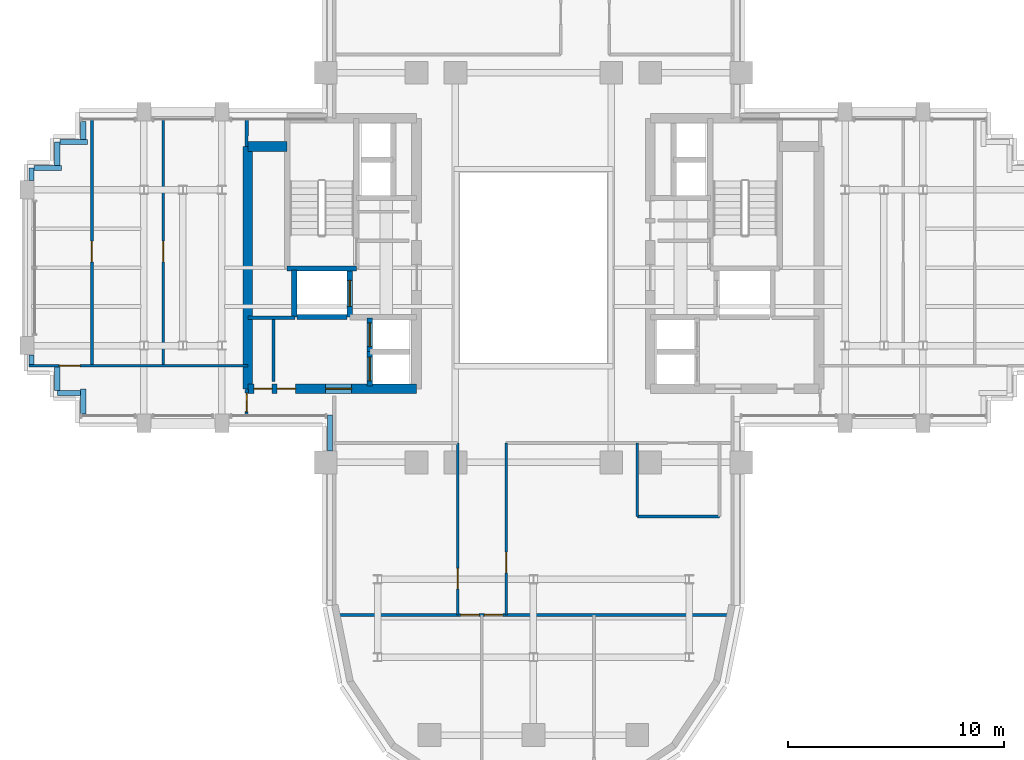
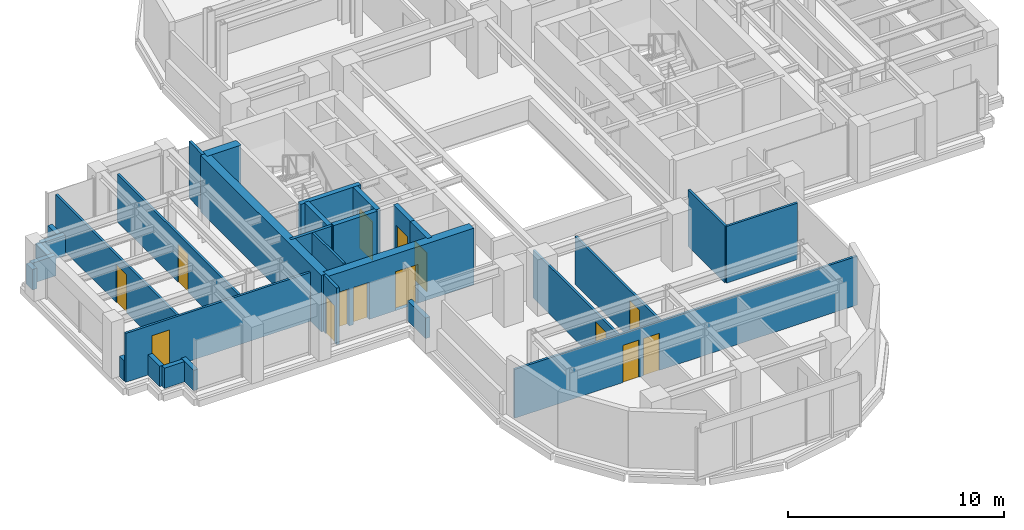
# One storey, part 8 of 14: 31 walls, 14 doors, 14 openings.
"""IFC4 building model written with IfcOpenShell, lengths in metres."""

from ifc_helpers import new_model, si_unit, direction, frame, frame_2d, origin, place, context, subcontext, project, spatial, rectangle, extrude, source, transform, mapped, material, layer, layer_set, type_object, element, fill, save


model = new_model("IFC4")

# Units and contexts
model_context = context("Model", 3, precision=1e-05, world=origin(), true_north=direction((0.0, 1.0)))
body_context = subcontext(model_context, "Body", "Model", "MODEL_VIEW")
ifc_project = project(units=[si_unit("LENGTHUNIT", "METRE"), si_unit("AREAUNIT", "SQUARE_METRE"), si_unit("VOLUMEUNIT", "CUBIC_METRE"), si_unit("PLANEANGLEUNIT", "RADIAN"), si_unit("MASSUNIT", "GRAM", prefix="KILO")], contexts=[model_context])

# Site, building, storey
site_placement = place(None, origin())
site = spatial("IfcSite", under=ifc_project, at=site_placement, CompositionType="ELEMENT")
building_placement = place(site_placement, origin())
building = spatial("IfcBuilding", under=site, at=building_placement, Name="Keilestroom Media Tower", CompositionType="ELEMENT")
storey_placement = place(building_placement, frame((0.0, 0.0, 124.39990234375)))
storey = spatial("IfcBuildingStorey", under=building, at=storey_placement, Name="L33", CompositionType="ELEMENT", Elevation=124.39990234375)

# Wall
ifc_material_1 = material(Name="Gypsum Plasterboard & Steel Stud", Category="steel")
ifc_layer_1 = layer(ifc_material_1, 0.1201171875)
ifc_layer_set_1 = layer_set([ifc_layer_1], Name="Gypsum Plasterboard & Steel Stud")
wall_type_1 = type_object("IfcWallType", Name="Interior-Partition-Wall-120", PredefinedType="PARTITIONING", material=ifc_layer_set_1)
wall_1_placement = place(storey_placement, frame((-12.010009765625, -5.260009765625, 0.0), z_axis=(0.0, 0.0, 1.0), x_axis=(0.0, 1.0, 0.0)))
element("IfcWall", 1, at=wall_1_placement, inside=storey, type_object=wall_type_1, Name="L33 Interior Wall WP-L33-RECLW-M", PredefinedType="PARTITIONING", context=body_context, shape_type="SweptSolid", body=[
    extrude(rectangle(XDim=2.93994140625, YDim=0.1201171875, at=frame_2d((1.469970703125, 0.0))), origin(), (0.0, 0.0, 1.0), 3.2001953125),
])

# Wall, opening, door
wall_2_placement = place(storey_placement, frame((-3.5, -16.050048828125, 0.0), z_axis=(0.0, 0.0, 1.0), x_axis=(0.0, 1.0, 0.0)))
wall_2 = element("IfcWall", 2, at=wall_2_placement, inside=storey, type_object=wall_type_1, Name="L33 Interior Wall WP-L33-SL-SPW", PredefinedType="PARTITIONING", context=body_context, shape_type="SweptSolid", body=[
    extrude(rectangle(XDim=7.949951171875, YDim=0.1201171875, at=frame_2d((3.97509765625, 0.0))), origin(), (0.0, 0.0, 1.0), 2.7001953125),
])
opening_1_placement = place(wall_2_placement, frame((1.199951171875, 0.0, 0.0)))
opening_1 = element("IfcOpeningElement", 3, at=opening_1_placement, cuts=wall_2, Name="Opening DI-03", PredefinedType="OPENING", context=body_context, shape_type="SweptSolid", body=[
    extrude(rectangle(XDim=0.949951171875, YDim=2.14990234375, at=frame_2d((0.47509765625, 1.074951171875))), frame((0.0, 0.070068359375, 0.0), z_axis=(0.0, -1.0, 0.0), x_axis=(1.0, 0.0, 0.0)), (0.0, 0.0, 1.0), 0.14013671875),
])
ifc_material_2 = material(Name="Lacquered European Oak Leaf", Category="wood")
door_type_1 = type_object("IfcDoorType", Name="Interior-Room-And-Suite-Door-DI-03", OperationType="NOTDEFINED", PredefinedType="DOOR", material=ifc_material_2)
shared_shape_1 = source(origin(), body_context, "Body", "SweptSolid", [
    extrude(rectangle(XDim=0.949951171875, YDim=2.14990234375, at=frame_2d((0.47509765625, 1.074951171875))), frame((0.0, 0.02490234375, 0.0), z_axis=(0.0, -1.0, 0.0), x_axis=(1.0, 0.0, 0.0)), (0.0, 0.0, 1.0), 0.050048828125),
])
door_1_placement = place(opening_1_placement, origin())
door_1 = element("IfcDoor", 4, at=door_1_placement, inside=storey, type_object=door_type_1, Name="L33 Interior Door DI-L33-DSL-W1", OperationType="SINGLE_SWING_LEFT", OverallHeight=2.14990234375, OverallWidth=0.949951171875, PredefinedType="DOOR", context=body_context, shape_type="MappedRepresentation", body=[
    mapped(shared_shape_1, transform((0.0, 0.0, 0.0), x_axis=(1.0, 0.0, 0.0), y_axis=(0.0, 1.0, 0.0), z_axis=(0.0, 0.0, 1.0), scale=1.0)),
])
fill(opening_1, door_1)

wall_3_placement = place(storey_placement, frame((-1.260009765625, -16.050048828125, 0.0), z_axis=(0.0, 0.0, 1.0), x_axis=(0.0, 1.0, 0.0)))
wall_3 = element("IfcWall", 5, at=wall_3_placement, inside=storey, type_object=wall_type_1, Name="L33 Interior Wall WP-L33-SL-SPE", PredefinedType="PARTITIONING", context=body_context, shape_type="SweptSolid", body=[
    extrude(rectangle(XDim=7.949951171875, YDim=0.1201171875, at=frame_2d((3.97509765625, 0.0))), origin(), (0.0, 0.0, 1.0), 2.7001953125),
])
opening_2_placement = place(wall_3_placement, frame((1.949951171875, 0.0, 0.0)))
opening_2 = element("IfcOpeningElement", 6, at=opening_2_placement, cuts=wall_3, Name="Opening DI-03", PredefinedType="OPENING", context=body_context, shape_type="SweptSolid", body=[
    extrude(rectangle(XDim=0.949951171875, YDim=2.14990234375, at=frame_2d((0.47509765625, 1.074951171875))), frame((0.0, 0.070068359375, 0.0), z_axis=(0.0, -1.0, 0.0), x_axis=(1.0, 0.0, 0.0)), (0.0, 0.0, 1.0), 0.14013671875),
])
door_2_placement = place(opening_2_placement, origin())
door_2 = element("IfcDoor", 7, at=door_2_placement, inside=storey, type_object=door_type_1, Name="L33 Interior Door DI-L33-DSL-E1", OperationType="SINGLE_SWING_RIGHT", OverallHeight=2.14990234375, OverallWidth=0.949951171875, PredefinedType="DOOR", context=body_context, shape_type="MappedRepresentation", body=[
    mapped(shared_shape_1, transform((0.0, 0.0, 0.0), x_axis=(1.0, 0.0, 0.0), y_axis=(0.0, 1.0, 0.0), z_axis=(0.0, 0.0, 1.0), scale=1.0)),
])
fill(opening_2, door_2)

# Wall, openings, doors
wall_4_placement = place(storey_placement, frame((-9.159912109375, -16.050048828125, 0.0), z_axis=(0.0, 0.0, 1.0), x_axis=(1.0, 0.0, 0.0)))
wall_4 = element("IfcWall", 8, at=wall_4_placement, inside=storey, type_object=wall_type_1, Name="L33 Interior Wall WP-L33-SL-STIPW", PredefinedType="PARTITIONING", context=body_context, shape_type="SweptSolid", body=[
    extrude(rectangle(XDim=18.31982421875, YDim=0.1201171875, at=frame_2d((9.159912109375, 0.0))), origin(), (0.0, 0.0, 1.0), 2.760009765625),
])
opening_3_placement = place(wall_4_placement, frame((5.800048828125, 0.0, 0.0)))
opening_3 = element("IfcOpeningElement", 9, at=opening_3_placement, cuts=wall_4, Name="Opening DI-05", PredefinedType="OPENING", context=body_context, shape_type="SweptSolid", body=[
    extrude(rectangle(XDim=0.85009765625, YDim=2.10009765625, at=frame_2d((0.425048828125, 1.050048828125))), frame((0.0, 0.070068359375, 0.0), z_axis=(0.0, -1.0, 0.0), x_axis=(1.0, 0.0, 0.0)), (0.0, 0.0, 1.0), 0.14013671875),
])
opening_4_placement = place(wall_4_placement, frame((6.89990234375, 0.0, 0.0)))
opening_4 = element("IfcOpeningElement", 10, at=opening_4_placement, cuts=wall_4, Name="Opening DI-05", PredefinedType="OPENING", context=body_context, shape_type="SweptSolid", body=[
    extrude(rectangle(XDim=0.85009765625, YDim=2.10009765625, at=frame_2d((0.425048828125, 1.050048828125))), frame((0.0, 0.070068359375, 0.0), z_axis=(0.0, -1.0, 0.0), x_axis=(1.0, 0.0, 0.0)), (0.0, 0.0, 1.0), 0.14013671875),
])
ifc_material_3 = material(Name="Moisture-Resistant Oak Leaf", Category="wood")
door_type_2 = type_object("IfcDoorType", Name="Interior-En-Suite-And-Cupboard-Door-DI-05", OperationType="NOTDEFINED", PredefinedType="DOOR", material=ifc_material_3)
shared_shape_2 = source(origin(), body_context, "Body", "SweptSolid", [
    extrude(rectangle(XDim=0.85009765625, YDim=2.10009765625, at=frame_2d((0.425048828125, 1.050048828125))), frame((0.0, 0.02490234375, 0.0), z_axis=(0.0, -1.0, 0.0), x_axis=(1.0, 0.0, 0.0)), (0.0, 0.0, 1.0), 0.050048828125),
])
door_3_placement = place(opening_3_placement, origin())
door_3 = element("IfcDoor", 11, at=door_3_placement, inside=storey, type_object=door_type_2, Name="L33 Interior Door DI-L33-DSL-TIP1", OperationType="SINGLE_SWING_LEFT", OverallHeight=2.10009765625, OverallWidth=0.85009765625, PredefinedType="DOOR", context=body_context, shape_type="MappedRepresentation", body=[
    mapped(shared_shape_2, transform((0.0, 0.0, 0.0), x_axis=(1.0, 0.0, 0.0), y_axis=(0.0, 1.0, 0.0), z_axis=(0.0, 0.0, 1.0), scale=1.0)),
])
fill(opening_3, door_3)
door_4_placement = place(opening_4_placement, origin())
door_4 = element("IfcDoor", 12, at=door_4_placement, inside=storey, type_object=door_type_2, Name="L33 Interior Door DI-L33-DSL-TIP2", OperationType="SINGLE_SWING_RIGHT", OverallHeight=2.10009765625, OverallWidth=0.85009765625, PredefinedType="DOOR", context=body_context, shape_type="MappedRepresentation", body=[
    mapped(shared_shape_2, transform((0.0, 0.0, 0.0), x_axis=(1.0, 0.0, 0.0), y_axis=(0.0, 1.0, 0.0), z_axis=(0.0, 0.0, 1.0), scale=1.0)),
])
fill(opening_4, door_4)

# Walls
wall_5_placement = place(storey_placement, frame((4.800048828125, -11.5, 0.0), z_axis=(0.0, 0.0, 1.0), x_axis=(1.0, 0.0, 0.0)))
element("IfcWall", 13, at=wall_5_placement, inside=storey, type_object=wall_type_1, Name="L33 Interior Wall WP-L33-SL-WC-S", PredefinedType="PARTITIONING", context=body_context, shape_type="SweptSolid", body=[
    extrude(rectangle(XDim=3.800048828125, YDim=0.1201171875, at=frame_2d((1.89990234375, 0.0))), origin(), (0.0, 0.0, 1.0), 3.2001953125),
])
wall_6_placement = place(storey_placement, frame((4.800048828125, -11.5, 0.0), z_axis=(0.0, 0.0, 1.0), x_axis=(0.0, 1.0, 0.0)))
element("IfcWall", 14, at=wall_6_placement, inside=storey, type_object=wall_type_1, Name="L33 Interior Wall WP-L33-SL-WC-W", PredefinedType="PARTITIONING", context=body_context, shape_type="SweptSolid", body=[
    extrude(rectangle(XDim=3.39990234375, YDim=0.1201171875, at=frame_2d((1.699951171875, 0.0))), origin(), (0.0, 0.0, 1.0), 3.2001953125),
])

# Wall, opening, door
wall_7_placement = place(storey_placement, frame((-23.300048828125, -4.530029296875, 0.0), z_axis=(0.0, 0.0, 1.0), x_axis=(1.0, 0.0, 0.0)))
wall_7 = element("IfcWall", 15, at=wall_7_placement, inside=storey, type_object=wall_type_1, Name="L33 Interior Wall WP-L33-WA-CN", PredefinedType="PARTITIONING", context=body_context, shape_type="SweptSolid", body=[
    extrude(rectangle(XDim=10.10009765625, YDim=0.1201171875, at=frame_2d((5.050048828125, 0.0))), origin(), (0.0, 0.0, 1.0), 2.760009765625),
])
opening_5_placement = place(wall_7_placement, frame((1.39990234375, 0.0, 0.0)))
opening_5 = element("IfcOpeningElement", 16, at=opening_5_placement, cuts=wall_7, Name="Opening DI-03", PredefinedType="OPENING", context=body_context, shape_type="SweptSolid", body=[
    extrude(rectangle(XDim=0.949951171875, YDim=2.14990234375, at=frame_2d((0.47509765625, 1.074951171875))), frame((0.0, 0.070068359375, 0.0), z_axis=(0.0, -1.0, 0.0), x_axis=(1.0, 0.0, 0.0)), (0.0, 0.0, 1.0), 0.14013671875),
])
door_5_placement = place(opening_5_placement, origin())
door_5 = element("IfcDoor", 17, at=door_5_placement, inside=storey, type_object=door_type_1, Name="L33 Interior Door DI-L33-DWA-RN1", OperationType="SINGLE_SWING_RIGHT", OverallHeight=2.14990234375, OverallWidth=0.949951171875, PredefinedType="DOOR", context=body_context, shape_type="MappedRepresentation", body=[
    mapped(shared_shape_1, transform((0.0, 0.0, 0.0), x_axis=(1.0, 0.0, 0.0), y_axis=(0.0, 1.0, 0.0), z_axis=(0.0, 0.0, 1.0), scale=1.0)),
])
fill(opening_5, door_5)

wall_8_placement = place(storey_placement, frame((-20.39990234375, -4.530029296875, 0.0), z_axis=(0.0, 0.0, 1.0), x_axis=(0.0, 1.0, 0.0)))
wall_8 = element("IfcWall", 18, at=wall_8_placement, inside=storey, type_object=wall_type_1, Name="L33 Interior Wall WP-L33-WA-VM1", PredefinedType="PARTITIONING", context=body_context, shape_type="SweptSolid", body=[
    extrude(rectangle(XDim=11.380126953125, YDim=0.1201171875, at=frame_2d((5.68994140625, 0.0))), origin(), (0.0, 0.0, 1.0), 2.7001953125),
])
opening_6_placement = place(wall_8_placement, frame((4.800048828125, 0.0, 0.0)))
opening_6 = element("IfcOpeningElement", 19, at=opening_6_placement, cuts=wall_8, Name="Opening DI-03", PredefinedType="OPENING", context=body_context, shape_type="SweptSolid", body=[
    extrude(rectangle(XDim=0.949951171875, YDim=2.14990234375, at=frame_2d((0.47509765625, 1.074951171875))), frame((0.0, 0.070068359375, 0.0), z_axis=(0.0, -1.0, 0.0), x_axis=(1.0, 0.0, 0.0)), (0.0, 0.0, 1.0), 0.14013671875),
])
door_6_placement = place(opening_6_placement, origin())
door_6 = element("IfcDoor", 20, at=door_6_placement, inside=storey, type_object=door_type_1, Name="L33 Interior Door DI-L33-DWA-RN2", OperationType="SINGLE_SWING_LEFT", OverallHeight=2.14990234375, OverallWidth=0.949951171875, PredefinedType="DOOR", context=body_context, shape_type="MappedRepresentation", body=[
    mapped(shared_shape_1, transform((0.0, 0.0, 0.0), x_axis=(1.0, 0.0, 0.0), y_axis=(0.0, 1.0, 0.0), z_axis=(0.0, 0.0, 1.0), scale=1.0)),
])
fill(opening_6, door_6)

wall_9_placement = place(storey_placement, frame((-17.10009765625, -4.530029296875, 0.0), z_axis=(0.0, 0.0, 1.0), x_axis=(0.0, 1.0, 0.0)))
wall_9 = element("IfcWall", 21, at=wall_9_placement, inside=storey, type_object=wall_type_1, Name="L33 Interior Wall WP-L33-WA-VM2", PredefinedType="PARTITIONING", context=body_context, shape_type="SweptSolid", body=[
    extrude(rectangle(XDim=11.380126953125, YDim=0.1201171875, at=frame_2d((5.68994140625, 0.0))), origin(), (0.0, 0.0, 1.0), 2.7001953125),
])
opening_7_placement = place(wall_9_placement, frame((4.800048828125, 0.0, 0.0)))
opening_7 = element("IfcOpeningElement", 22, at=opening_7_placement, cuts=wall_9, Name="Opening DI-03", PredefinedType="OPENING", context=body_context, shape_type="SweptSolid", body=[
    extrude(rectangle(XDim=0.949951171875, YDim=2.14990234375, at=frame_2d((0.47509765625, 1.074951171875))), frame((0.0, 0.070068359375, 0.0), z_axis=(0.0, -1.0, 0.0), x_axis=(1.0, 0.0, 0.0)), (0.0, 0.0, 1.0), 0.14013671875),
])
door_7_placement = place(opening_7_placement, origin())
door_7 = element("IfcDoor", 23, at=door_7_placement, inside=storey, type_object=door_type_1, Name="L33 Interior Door DI-L33-DWA-RN3", OperationType="SINGLE_SWING_RIGHT", OverallHeight=2.14990234375, OverallWidth=0.949951171875, PredefinedType="DOOR", context=body_context, shape_type="MappedRepresentation", body=[
    mapped(shared_shape_1, transform((0.0, 0.0, 0.0), x_axis=(1.0, 0.0, 0.0), y_axis=(0.0, 1.0, 0.0), z_axis=(0.0, 0.0, 1.0), scale=1.0)),
])
fill(opening_7, door_7)

# Walls
ifc_layer_2 = layer(ifc_material_1, 0.14990234375)
ifc_layer_set_2 = layer_set([ifc_layer_2], Name="Gypsum Plasterboard & Steel Stud")
wall_type_2 = type_object("IfcWallType", Name="Interior-Partition-Wall-150", PredefinedType="PARTITIONING", material=ifc_layer_set_2)
wall_10_placement = place(storey_placement, frame((-13.199951171875, -2.320068359375, 0.0), z_axis=(0.0, 0.0, 1.0), x_axis=(1.0, 0.0, 0.0)))
element("IfcWall", 24, at=wall_10_placement, inside=storey, type_object=wall_type_2, Name="L33 Interior Wall WP-L33-RECLW-N", PredefinedType="PARTITIONING", context=body_context, shape_type="SweptSolid", body=[
    extrude(rectangle(XDim=2.179931640625, YDim=0.14990234375, at=frame_2d((1.08984375, 0.0))), origin(), (0.0, 0.0, 1.0), 3.2001953125),
])
wall_11_placement = place(storey_placement, frame((-13.260009765625, 5.60009765625, 0.0), z_axis=(0.0, 0.0, 1.0), x_axis=(0.016013571389, 0.999871774545, 0.0)))
element("IfcWall", 25, at=wall_11_placement, inside=storey, type_object=wall_type_2, Name="L33 Interior Wall WP-L33-WA-ENTN", PredefinedType="PARTITIONING", context=body_context, shape_type="SweptSolid", body=[
    extrude(rectangle(XDim=1.250244140625, YDim=0.14990234375, at=frame_2d((0.625, 0.0))), origin(), (0.0, 0.0, 1.0), 3.2001953125),
])

# Wall, opening, door
wall_12_placement = place(storey_placement, frame((-13.260009765625, -6.85009765625, 0.0), z_axis=(0.0, 0.0, 1.0), x_axis=(0.016013571389, 0.999871774545, 0.0)))
wall_12 = element("IfcWall", 26, at=wall_12_placement, inside=storey, type_object=wall_type_2, Name="L33 Interior Wall WP-L33-WA-ENTS", PredefinedType="PARTITIONING", context=body_context, shape_type="SweptSolid", body=[
    extrude(rectangle(XDim=1.250244140625, YDim=0.14990234375, at=frame_2d((0.625, 0.0))), origin(), (0.0, 0.0, 1.0), 3.2001953125),
])
opening_8_placement = place(wall_12_placement, frame((0.199951171875, 0.0, 0.0)))
opening_8 = element("IfcOpeningElement", 27, at=opening_8_placement, cuts=wall_12, Name="Opening DI-05", PredefinedType="OPENING", context=body_context, shape_type="SweptSolid", body=[
    extrude(rectangle(XDim=0.85009765625, YDim=2.10009765625, at=frame_2d((0.425048828125, 1.050048828125))), frame((0.0, 0.0849609375, 0.0), z_axis=(0.0, -1.0, 0.0), x_axis=(1.0, 0.0, 0.0)), (0.0, 0.0, 1.0), 0.169921875),
])
door_8_placement = place(opening_8_placement, origin())
door_8 = element("IfcDoor", 28, at=door_8_placement, inside=storey, type_object=door_type_2, Name="L33 Interior Door DI-L33-DWA-ENTS", OperationType="SINGLE_SWING_RIGHT", OverallHeight=2.10009765625, OverallWidth=0.85009765625, PredefinedType="DOOR", context=body_context, shape_type="MappedRepresentation", body=[
    mapped(shared_shape_2, transform((0.0, 0.0, 0.0), x_axis=(1.0, 0.0, 0.0), y_axis=(0.0, 1.0, 0.0), z_axis=(0.0, 0.0, 1.0), scale=1.0)),
])
fill(opening_8, door_8)

# Walls
ifc_material_4 = material(Name="Concrete C55/67", Category="concrete")
ifc_layer_3 = layer(ifc_material_4, 0.449951171875)
ifc_layer_set_3 = layer_set([ifc_layer_3], Name="Concrete C55/67")
wall_type_3 = type_object("IfcWallType", Name="Reinforced-Concrete-Core-Shear-Wall-450", PredefinedType="SHEAR", material=ifc_layer_set_3)
wall_13_placement = place(storey_placement, frame((-13.199951171875, -5.60009765625, 0.0), z_axis=(0.0, 0.0, 1.0), x_axis=(0.0, 1.0, 0.0)))
element("IfcWall", 29, at=wall_13_placement, inside=storey, type_object=wall_type_3, Name="L33 Core Shear Wall WL-L33-CORE-W-OUT", PredefinedType="SHEAR", context=body_context, shape_type="SweptSolid", body=[
    extrude(rectangle(XDim=11.2001953125, YDim=0.449951171875, at=frame_2d((5.60009765625, 0.0))), origin(), (0.0, 0.0, 1.0), 3.2001953125),
])
wall_14_placement = place(storey_placement, frame((-13.199951171875, 5.60009765625, 0.0), z_axis=(0.0, 0.0, 1.0), x_axis=(1.0, 0.0, 0.0)))
element("IfcWall", 30, at=wall_14_placement, inside=storey, type_object=wall_type_3, Name="L33 Core Shear Wall WL-L33-CNW-N", PredefinedType="SHEAR", context=body_context, shape_type="SweptSolid", body=[
    extrude(rectangle(XDim=1.81884765625, YDim=0.449951171875, at=frame_2d((0.909423828125, 0.0))), origin(), (0.0, 0.0, 1.0), 3.2001953125),
])

# Wall, openings, doors
wall_15_placement = place(storey_placement, frame((-13.199951171875, -5.60009765625, 0.0), z_axis=(0.0, 0.0, 1.0), x_axis=(1.0, 0.0, 0.0)))
wall_15 = element("IfcWall", 31, at=wall_15_placement, inside=storey, type_object=wall_type_3, Name="L33 Core Shear Wall WL-L33-CORE-W-S", PredefinedType="SHEAR", context=body_context, shape_type="SweptSolid", body=[
    extrude(rectangle(XDim=7.800048828125, YDim=0.449951171875, at=frame_2d((3.89990234375, 0.0))), origin(), (0.0, 0.0, 1.0), 3.2001953125),
])
opening_9_placement = place(wall_15_placement, frame((3.60009765625, 0.0, 0.0)))
opening_9 = element("IfcOpeningElement", 32, at=opening_9_placement, cuts=wall_15, Name="Opening DI-02", PredefinedType="OPENING", context=body_context, shape_type="SweptSolid", body=[
    extrude(rectangle(XDim=1.199951171875, YDim=2.199951171875, at=frame_2d((0.60009765625, 1.10009765625))), frame((0.0, 0.23486328125, 0.0), z_axis=(0.0, -1.0, 0.0), x_axis=(1.0, 0.0, 0.0)), (0.0, 0.0, 1.0), 0.469970703125),
])
opening_10_placement = place(wall_15_placement, frame((0.280029296875, 0.0, 0.0)))
opening_10 = element("IfcOpeningElement", 33, at=opening_10_placement, cuts=wall_15, Name="Opening DI-05", PredefinedType="OPENING", context=body_context, shape_type="SweptSolid", body=[
    extrude(rectangle(XDim=0.85009765625, YDim=2.10009765625, at=frame_2d((0.425048828125, 1.050048828125))), frame((0.0, 0.23486328125, 0.0), z_axis=(0.0, -1.0, 0.0), x_axis=(1.0, 0.0, 0.0)), (0.0, 0.0, 1.0), 0.469970703125),
])
opening_11_placement = place(wall_15_placement, frame((1.360107421875, 0.0, 0.0)))
opening_11 = element("IfcOpeningElement", 34, at=opening_11_placement, cuts=wall_15, Name="Opening DI-05", PredefinedType="OPENING", context=body_context, shape_type="SweptSolid", body=[
    extrude(rectangle(XDim=0.85009765625, YDim=2.10009765625, at=frame_2d((0.425048828125, 1.050048828125))), frame((0.0, 0.23486328125, 0.0), z_axis=(0.0, -1.0, 0.0), x_axis=(1.0, 0.0, 0.0)), (0.0, 0.0, 1.0), 0.469970703125),
])
ifc_material_5 = material(Name="Powder-Coated Steel Fire Leaf", Category="steel")
door_type_3 = type_object("IfcDoorType", Name="Interior-Compartment-Fire-Door-DI-02", OperationType="NOTDEFINED", PredefinedType="DOOR", material=ifc_material_5)
shared_shape_3 = source(origin(), body_context, "Body", "SweptSolid", [
    extrude(rectangle(XDim=1.199951171875, YDim=2.199951171875, at=frame_2d((0.60009765625, 1.10009765625))), frame((0.0, 0.02490234375, 0.0), z_axis=(0.0, -1.0, 0.0), x_axis=(1.0, 0.0, 0.0)), (0.0, 0.0, 1.0), 0.050048828125),
])
door_9_placement = place(opening_9_placement, origin())
door_9 = element("IfcDoor", 35, at=door_9_placement, inside=storey, type_object=door_type_3, Name="L33 W Passenger Lift Lobby Door", OperationType="SINGLE_SWING_LEFT", OverallHeight=2.199951171875, OverallWidth=1.199951171875, PredefinedType="DOOR", context=body_context, shape_type="MappedRepresentation", body=[
    mapped(shared_shape_3, transform((0.0, 0.0, 0.0), x_axis=(1.0, 0.0, 0.0), y_axis=(0.0, 1.0, 0.0), z_axis=(0.0, 0.0, 1.0), scale=1.0)),
])
fill(opening_9, door_9)
door_10_placement = place(opening_10_placement, origin())
door_10 = element("IfcDoor", 36, at=door_10_placement, inside=storey, type_object=door_type_2, Name="L33 Reclaimed West Closet 1 Door", OperationType="SINGLE_SWING_LEFT", OverallHeight=2.10009765625, OverallWidth=0.85009765625, PredefinedType="DOOR", context=body_context, shape_type="MappedRepresentation", body=[
    mapped(shared_shape_2, transform((0.0, 0.0, 0.0), x_axis=(1.0, 0.0, 0.0), y_axis=(0.0, 1.0, 0.0), z_axis=(0.0, 0.0, 1.0), scale=1.0)),
])
fill(opening_10, door_10)
door_11_placement = place(opening_11_placement, origin())
door_11 = element("IfcDoor", 37, at=door_11_placement, inside=storey, type_object=door_type_2, Name="L33 Reclaimed West Closet 2 Door", OperationType="SINGLE_SWING_RIGHT", OverallHeight=2.10009765625, OverallWidth=0.85009765625, PredefinedType="DOOR", context=body_context, shape_type="MappedRepresentation", body=[
    mapped(shared_shape_2, transform((0.0, 0.0, 0.0), x_axis=(1.0, 0.0, 0.0), y_axis=(0.0, 1.0, 0.0), z_axis=(0.0, 0.0, 1.0), scale=1.0)),
])
fill(opening_11, door_11)

# Walls
ifc_material_6 = material(Name="Concrete C50/60", Category="concrete")
ifc_layer_4 = layer(ifc_material_6, 0.25)
ifc_layer_set_4 = layer_set([ifc_layer_4], Name="Concrete C50/60")
wall_type_4 = type_object("IfcWallType", Name="Reinforced-Concrete-Shaft-Wall-250", PredefinedType="SOLIDWALL", material=ifc_layer_set_4)
wall_16_placement = place(storey_placement, frame((-11.381103515625, -0.041015625, 0.0), z_axis=(0.0, 0.0, 1.0), x_axis=(1.0, 0.0, 0.0)))
element("IfcWall", 38, at=wall_16_placement, inside=storey, type_object=wall_type_4, Name="L33 Core Shear Wall WL-L33-STW-W-S", PredefinedType="SOLIDWALL", context=body_context, shape_type="SweptSolid", body=[
    extrude(rectangle(XDim=3.2021484375, YDim=0.25, at=frame_2d((1.60107421875, 0.0))), origin(), (0.0, 0.0, 1.0), 3.2001953125),
])
wall_17_placement = place(storey_placement, frame((-11.050048828125, -2.280029296875, 0.0), z_axis=(0.0, 0.0, 1.0), x_axis=(0.0, 1.0, 0.0)))
element("IfcWall", 39, at=wall_17_placement, inside=storey, type_object=wall_type_4, Name="L33 Core Shear Wall WL-L33-LSH-FFL-1-W", PredefinedType="SOLIDWALL", context=body_context, shape_type="SweptSolid", body=[
    extrude(rectangle(XDim=2.179931640625, YDim=0.25, at=frame_2d((1.08984375, 0.0))), origin(), (0.0, 0.0, 1.0), 3.2001953125),
])

# Wall, opening, door
wall_18_placement = place(storey_placement, frame((-8.47998046875, -2.280029296875, 0.0), z_axis=(0.0, 0.0, 1.0), x_axis=(0.0, 1.0, 0.0)))
wall_18 = element("IfcWall", 40, at=wall_18_placement, inside=storey, type_object=wall_type_4, Name="L33 Core Shear Wall WL-L33-LSH-FFL-1-E", PredefinedType="SOLIDWALL", context=body_context, shape_type="SweptSolid", body=[
    extrude(rectangle(XDim=2.179931640625, YDim=0.25, at=frame_2d((1.08984375, 0.0))), origin(), (0.0, 0.0, 1.0), 3.2001953125),
])
opening_12_placement = place(wall_18_placement, frame((0.489990234375, 0.0, 0.0)))
opening_12 = element("IfcOpeningElement", 41, at=opening_12_placement, cuts=wall_18, Name="Opening LD-02", PredefinedType="OPENING", context=body_context, shape_type="SweptSolid", body=[
    extrude(rectangle(XDim=1.199951171875, YDim=2.199951171875, at=frame_2d((0.60009765625, 1.10009765625))), frame((0.0, 0.135009765625, 0.0), z_axis=(0.0, -1.0, 0.0), x_axis=(1.0, 0.0, 0.0)), (0.0, 0.0, 1.0), 0.27001953125),
])
ifc_material_7 = material(Name="Brushed Stainless Steel Sliding Leaf", Category="steel")
door_type_4 = type_object("IfcDoorType", Name="Lift-Landing-Sliding-Door-LD-02", OperationType="SLIDING_TO_RIGHT", PredefinedType="DOOR", material=ifc_material_7)
door_12_placement = place(opening_12_placement, origin())
door_12 = element("IfcDoor", 42, at=door_12_placement, inside=storey, type_object=door_type_4, Name="L33 Lift FFL-1 Landing Sliding Door", OperationType="SLIDING_TO_RIGHT", OverallHeight=2.199951171875, OverallWidth=1.199951171875, PredefinedType="DOOR", context=body_context, shape_type="MappedRepresentation", body=[
    mapped(shared_shape_3, transform((0.0, 0.0, 0.0), x_axis=(1.0, 0.0, 0.0), y_axis=(0.0, 1.0, 0.0), z_axis=(0.0, 0.0, 1.0), scale=1.0)),
])
fill(opening_12, door_12)

# Wall
wall_19_placement = place(storey_placement, frame((-10.9208984375, -2.280029296875, 0.0), z_axis=(0.0, 0.0, 1.0), x_axis=(1.0, 0.0, 0.0)))
element("IfcWall", 43, at=wall_19_placement, inside=storey, type_object=wall_type_4, Name="L33 Core Shear Wall WL-L33-LSH-FFL-1-S", PredefinedType="SOLIDWALL", context=body_context, shape_type="SweptSolid", body=[
    extrude(rectangle(XDim=2.31201171875, YDim=0.25, at=frame_2d((1.156005859375, 0.0))), origin(), (0.0, 0.0, 1.0), 3.2001953125),
])

# Wall, opening, door
wall_20_placement = place(storey_placement, frame((-7.56005859375, -5.47998046875, 0.0), z_axis=(0.0, 0.0, 1.0), x_axis=(0.0, 1.0, 0.0)))
wall_20 = element("IfcWall", 44, at=wall_20_placement, inside=storey, type_object=wall_type_4, Name="L33 Core Shear Wall WL-L33-LSH-PL-M1-W", PredefinedType="SOLIDWALL", context=body_context, shape_type="SweptSolid", body=[
    extrude(rectangle(XDim=1.60009765625, YDim=0.25, at=frame_2d((0.800048828125, 0.0))), origin(), (0.0, 0.0, 1.0), 3.2001953125),
])
opening_13_placement = place(wall_20_placement, frame((0.25, 0.0, 0.0)))
opening_13 = element("IfcOpeningElement", 45, at=opening_13_placement, cuts=wall_20, Name="Opening LD-01", PredefinedType="OPENING", context=body_context, shape_type="SweptSolid", body=[
    extrude(rectangle(XDim=1.10009765625, YDim=2.199951171875, at=frame_2d((0.550048828125, 1.10009765625))), frame((0.0, 0.135009765625, 0.0), z_axis=(0.0, -1.0, 0.0), x_axis=(1.0, 0.0, 0.0)), (0.0, 0.0, 1.0), 0.27001953125),
])
door_type_5 = type_object("IfcDoorType", Name="Lift-Landing-Sliding-Door-LD-01", OperationType="SLIDING_TO_LEFT", PredefinedType="DOOR", material=ifc_material_7)
shared_shape_4 = source(origin(), body_context, "Body", "SweptSolid", [
    extrude(rectangle(XDim=1.10009765625, YDim=2.199951171875, at=frame_2d((0.550048828125, 1.10009765625))), frame((0.0, 0.02490234375, 0.0), z_axis=(0.0, -1.0, 0.0), x_axis=(1.0, 0.0, 0.0)), (0.0, 0.0, 1.0), 0.050048828125),
])
door_13_placement = place(opening_13_placement, origin())
door_13 = element("IfcDoor", 46, at=door_13_placement, inside=storey, type_object=door_type_5, Name="L33 Lift PL-M1 Landing Sliding Door", OperationType="SLIDING_TO_LEFT", OverallHeight=2.199951171875, OverallWidth=1.10009765625, PredefinedType="DOOR", context=body_context, shape_type="MappedRepresentation", body=[
    mapped(shared_shape_4, transform((0.0, 0.0, 0.0), x_axis=(1.0, 0.0, 0.0), y_axis=(0.0, 1.0, 0.0), z_axis=(0.0, 0.0, 1.0), scale=1.0)),
])
fill(opening_13, door_13)

wall_21_placement = place(storey_placement, frame((-7.56005859375, -3.8798828125, 0.0), z_axis=(0.0, 0.0, 1.0), x_axis=(0.0, 1.0, 0.0)))
wall_21 = element("IfcWall", 47, at=wall_21_placement, inside=storey, type_object=wall_type_4, Name="L33 Core Shear Wall WL-L33-LSH-PL-M2-W", PredefinedType="SOLIDWALL", context=body_context, shape_type="SweptSolid", body=[
    extrude(rectangle(XDim=1.559814453125, YDim=0.25, at=frame_2d((0.77978515625, 0.0))), origin(), (0.0, 0.0, 1.0), 3.2001953125),
])
opening_14_placement = place(wall_21_placement, frame((0.22998046875, 0.0, 0.0)))
opening_14 = element("IfcOpeningElement", 48, at=opening_14_placement, cuts=wall_21, Name="Opening LD-01", PredefinedType="OPENING", context=body_context, shape_type="SweptSolid", body=[
    extrude(rectangle(XDim=1.10009765625, YDim=2.199951171875, at=frame_2d((0.550048828125, 1.10009765625))), frame((0.0, 0.135009765625, 0.0), z_axis=(0.0, -1.0, 0.0), x_axis=(1.0, 0.0, 0.0)), (0.0, 0.0, 1.0), 0.27001953125),
])
door_14_placement = place(opening_14_placement, origin())
door_14 = element("IfcDoor", 49, at=door_14_placement, inside=storey, type_object=door_type_5, Name="L33 Lift PL-M2 Landing Sliding Door", OperationType="SLIDING_TO_LEFT", OverallHeight=2.199951171875, OverallWidth=1.10009765625, PredefinedType="DOOR", context=body_context, shape_type="MappedRepresentation", body=[
    mapped(shared_shape_4, transform((0.0, 0.0, 0.0), x_axis=(1.0, 0.0, 0.0), y_axis=(0.0, 1.0, 0.0), z_axis=(0.0, 0.0, 1.0), scale=1.0)),
])
fill(opening_14, door_14)

# Walls
ifc_material_8 = material(Name="Precast concrete C40/50", Category="concrete")
ifc_layer_5 = layer(ifc_material_8, 0.239990234375)
ifc_layer_set_5 = layer_set([ifc_layer_5], Name="Precast concrete C40/50")
wall_type_5 = type_object("IfcWallType", Name="Roof-And-Terrace-Parapet-Wall-240", PredefinedType="PARAPET", material=ifc_layer_set_5)
wall_22_placement = place(storey_placement, frame((-9.39990234375, -8.471923828125, 0.0), z_axis=(0.0, 0.0, 1.0), x_axis=(0.0, 1.0, 0.0)))
element("IfcWall", 50, at=wall_22_placement, inside=storey, type_object=wall_type_5, Name="L33 Perimeter Edge Parapet Wall 09", PredefinedType="PARAPET", context=body_context, shape_type="SweptSolid", body=[
    extrude(rectangle(XDim=1.653076171875, YDim=0.239990234375, at=frame_2d((0.82666015625, 0.0))), origin(), (0.0, 0.0, 1.0), 1.150146484375),
])
wall_23_placement = place(storey_placement, frame((-20.800048828125, -6.757080078125, 0.0), z_axis=(0.0, 0.0, 1.0), x_axis=(0.0, 1.0, 0.0)))
element("IfcWall", 51, at=wall_23_placement, inside=storey, type_object=wall_type_5, Name="L33 Perimeter Edge Parapet Wall 10", PredefinedType="PARAPET", context=body_context, shape_type="SweptSolid", body=[
    extrude(rectangle(XDim=1.156982421875, YDim=0.239990234375, at=frame_2d((0.57861328125, 0.0))), origin(), (0.0, 0.0, 1.0), 1.150146484375),
])
wall_24_placement = place(storey_placement, frame((-20.923095703125, -5.800048828125, 0.0), z_axis=(0.0, 0.0, 1.0), x_axis=(-1.0, 0.0, 0.0)))
element("IfcWall", 52, at=wall_24_placement, inside=storey, type_object=wall_type_5, Name="L33 Perimeter Edge Parapet Wall 11", PredefinedType="PARAPET", context=body_context, shape_type="SweptSolid", body=[
    extrude(rectangle(XDim=1.076904296875, YDim=0.239990234375, at=frame_2d((0.53857421875, 0.0))), origin(), (0.0, 0.0, 1.0), 1.150146484375),
])
wall_25_placement = place(storey_placement, frame((-22.0, -5.677001953125, 0.0), z_axis=(0.0, 0.0, 1.0), x_axis=(0.0, 1.0, 0.0)))
element("IfcWall", 53, at=wall_25_placement, inside=storey, type_object=wall_type_5, Name="L33 Perimeter Edge Parapet Wall 12", PredefinedType="PARAPET", context=body_context, shape_type="SweptSolid", body=[
    extrude(rectangle(XDim=1.083984375, YDim=0.239990234375, at=frame_2d((0.5419921875, 0.0))), origin(), (0.0, 0.0, 1.0), 1.150146484375),
])
wall_26_placement = place(storey_placement, frame((-23.199951171875, -4.467041015625, 0.0), z_axis=(0.0, 0.0, 1.0), x_axis=(0.0, 1.0, 0.0)))
element("IfcWall", 54, at=wall_26_placement, inside=storey, type_object=wall_type_5, Name="L33 Perimeter Edge Parapet Wall 13", PredefinedType="PARAPET", context=body_context, shape_type="SweptSolid", body=[
    extrude(rectangle(XDim=0.43896484375, YDim=0.239990234375, at=frame_2d((0.219482421875, 0.0))), origin(), (0.0, 0.0, 1.0), 1.150146484375),
])
wall_27_placement = place(storey_placement, frame((-23.199951171875, 4.028076171875, 0.0), z_axis=(0.0, 0.0, 1.0), x_axis=(0.0, 1.0, 0.0)))
element("IfcWall", 55, at=wall_27_placement, inside=storey, type_object=wall_type_5, Name="L33 Perimeter Edge Parapet Wall 14", PredefinedType="PARAPET", context=body_context, shape_type="SweptSolid", body=[
    extrude(rectangle(XDim=0.572021484375, YDim=0.239990234375, at=frame_2d((0.2861328125, 0.0))), origin(), (0.0, 0.0, 1.0), 1.150146484375),
])
wall_28_placement = place(storey_placement, frame((-23.076904296875, 4.60009765625, 0.0), z_axis=(0.0, 0.0, 1.0), x_axis=(1.0, 0.0, 0.0)))
element("IfcWall", 56, at=wall_28_placement, inside=storey, type_object=wall_type_5, Name="L33 Perimeter Edge Parapet Wall 15", PredefinedType="PARAPET", context=body_context, shape_type="SweptSolid", body=[
    extrude(rectangle(XDim=1.27685546875, YDim=0.239990234375, at=frame_2d((0.638427734375, 0.0))), origin(), (0.0, 0.0, 1.0), 1.150146484375),
])
wall_29_placement = place(storey_placement, frame((-22.0, 4.722900390625, 0.0), z_axis=(0.0, 0.0, 1.0), x_axis=(0.0, 1.0, 0.0)))
element("IfcWall", 57, at=wall_29_placement, inside=storey, type_object=wall_type_5, Name="L33 Perimeter Edge Parapet Wall 16", PredefinedType="PARAPET", context=body_context, shape_type="SweptSolid", body=[
    extrude(rectangle(XDim=1.0771484375, YDim=0.239990234375, at=frame_2d((0.53857421875, 0.0))), origin(), (0.0, 0.0, 1.0), 1.150146484375),
])
wall_30_placement = place(storey_placement, frame((-21.876953125, 5.800048828125, 0.0), z_axis=(0.0, 0.0, 1.0), x_axis=(1.0, 0.0, 0.0)))
element("IfcWall", 58, at=wall_30_placement, inside=storey, type_object=wall_type_5, Name="L33 Perimeter Edge Parapet Wall 17", PredefinedType="PARAPET", context=body_context, shape_type="SweptSolid", body=[
    extrude(rectangle(XDim=1.27685546875, YDim=0.239990234375, at=frame_2d((0.638427734375, 0.0))), origin(), (0.0, 0.0, 1.0), 1.150146484375),
])
wall_31_placement = place(storey_placement, frame((-20.800048828125, 5.923095703125, 0.0), z_axis=(0.0, 0.0, 1.0), x_axis=(0.0, 1.0, 0.0)))
element("IfcWall", 59, at=wall_31_placement, inside=storey, type_object=wall_type_5, Name="L33 Perimeter Edge Parapet Wall 18", PredefinedType="PARAPET", context=body_context, shape_type="SweptSolid", body=[
    extrude(rectangle(XDim=0.833984375, YDim=0.239990234375, at=frame_2d((0.4169921875, 0.0))), origin(), (0.0, 0.0, 1.0), 1.150146484375),
])

save(model, "model.ifc")
